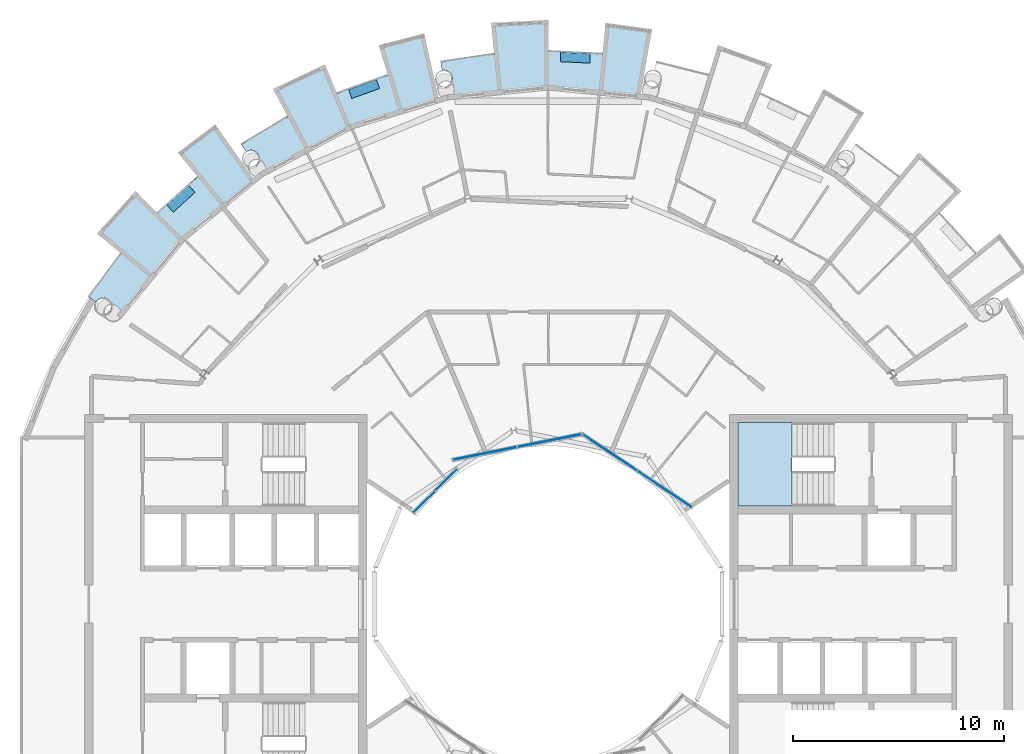
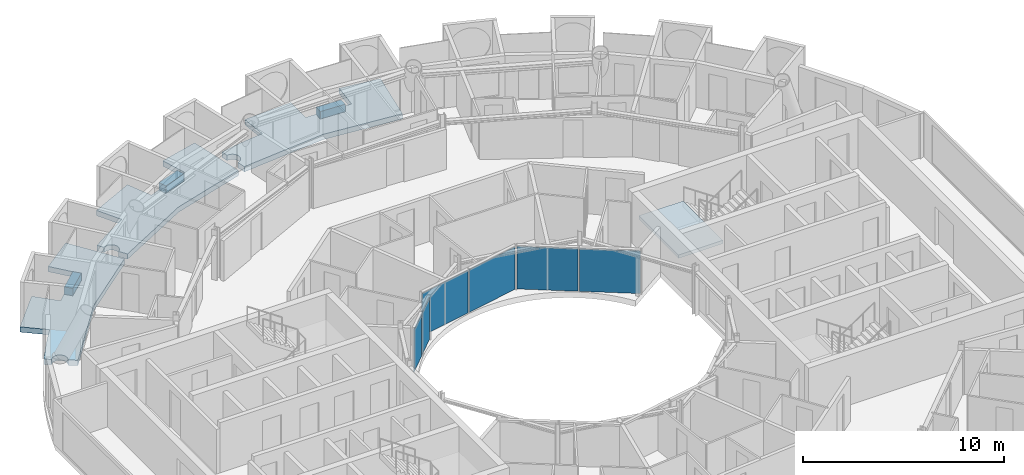
# One storey, part 12 of 27: 7 slabs, 6 plates, 4 elements without a shape of their own.
"""IFC4 building model written with IfcOpenShell, lengths in metres."""

from ifc_helpers import new_model, si_unit, direction, frame, origin, origin_2d, place, context, subcontext, project, spatial, polyline, rectangle, outline, extrude, material, layer, layer_set, type_object, element, aggregate, save


model = new_model("IFC4")

# Units and contexts
model_context = context("Model", 3, precision=1e-05, world=origin(), true_north=direction((0.0, 1.0)))
body_context = subcontext(model_context, "Body", "Model", "MODEL_VIEW")
ifc_project = project(units=[si_unit("LENGTHUNIT", "METRE"), si_unit("AREAUNIT", "SQUARE_METRE"), si_unit("VOLUMEUNIT", "CUBIC_METRE"), si_unit("PLANEANGLEUNIT", "RADIAN"), si_unit("MASSUNIT", "GRAM", prefix="KILO")], contexts=[model_context])

# Site, building, storey
site_placement = place(None, origin())
site = spatial("IfcSite", under=ifc_project, at=site_placement, CompositionType="ELEMENT")
building_placement = place(site_placement, origin())
building = spatial("IfcBuilding", under=site, at=building_placement, Name="Maasbend Ring Residences", CompositionType="ELEMENT")
storey_placement = place(building_placement, frame((0.0, 0.0, 243.199951171875)))
storey = spatial("IfcBuildingStorey", under=building, at=storey_placement, Name="L70", CompositionType="ELEMENT", Elevation=243.199951171875)

# Stair, slab
ifc_material_1 = material(Name="Concrete C40/50", Category="concrete")
stair_type = type_object("IfcStairType", Name="CORE STAIR 18 RISERS", PredefinedType="HALF_TURN_STAIR", material=ifc_material_1)
stair_placement = place(storey_placement, origin())
stair = element("IfcStair", 1, at=stair_placement, inside=storey, type_object=stair_type, Name="L70 Exit stair ST-E1", PredefinedType="HALF_TURN_STAIR")
ifc_material_2 = material(Name="Concrete C40/50", Category="concrete")
ifc_layer_1 = layer(ifc_material_2, 0.199951171875)
ifc_layer_set_1 = layer_set([ifc_layer_1], Name="Concrete C40/50")
slab_type_1 = type_object("IfcSlabType", Name="CORE STAIR LANDING 200", PredefinedType="LANDING", material=ifc_layer_set_1)
slab_1_placement = place(storey_placement, frame((0.0, 0.0, 1.324951171875)))
slab_1 = element("IfcSlab", 2, at=slab_1_placement, type_object=slab_type_1, Name="ST-E1 landing 1", PredefinedType="LANDING", context=body_context, shape_type="SweptSolid", body=[
    extrude(outline(polyline([(11.550048828125, 8.60009765625), (9.0, 8.60009765625), (9.0, 4.64990234375), (11.550048828125, 4.64990234375), (11.550048828125, 8.60009765625)])), origin(), (0.0, 0.0, 1.0), 0.2001953125),
])
aggregate(stair, [slab_1])

# Curtain wall, plates
ifc_material_3 = material(Name="Aluminium and clear glass", Category="aluminium")
ifc_layer_2 = layer(ifc_material_3, 0.179931640625)
ifc_layer_set_2 = layer_set([ifc_layer_2], Name="CW-W")
curtain_wall_type = type_object("IfcCurtainWallType", Name="CW-W", PredefinedType="NOTDEFINED", material=ifc_layer_set_2)
curtain_wall_1_placement = place(storey_placement, origin())
curtain_wall_1 = element("IfcCurtainWall", 3, at=curtain_wall_1_placement, inside=storey, type_object=curtain_wall_type, Name="Well curtain wall N1", PredefinedType="NOTDEFINED")
ifc_material_4 = material(Name="Glass clear laminated", Category="glass")
ifc_layer_3 = layer(ifc_material_4, 0.031982421875)
ifc_layer_set_3 = layer_set([ifc_layer_3], Name="CWP-W")
plate_type = type_object("IfcPlateType", Name="CWP-W", PredefinedType="CURTAIN_PANEL", material=ifc_layer_set_3)
plate_1_placement = place(storey_placement, frame((5.51123046875, 5.44580078125, 0.0), z_axis=(0.0, 0.0, 1.0), x_axis=(-0.831469612303, 0.55557023302, 0.0)))
plate_1 = element("IfcPlate", 4, at=plate_1_placement, type_object=plate_type, Name="Glass panel well face", PredefinedType="CURTAIN_PANEL", context=body_context, shape_type="SweptSolid", body=[
    extrude(rectangle(XDim=3.053955078125, YDim=0.031982421875, at=origin_2d()), origin(), (0.0, 0.0, 1.0), 2.580078125),
])
plate_2_placement = place(storey_placement, frame((2.922119140625, 7.17578125, 0.0), z_axis=(0.0, 0.0, 1.0), x_axis=(-0.831469612303, 0.55557023302, 0.0)))
plate_2 = element("IfcPlate", 5, at=plate_2_placement, type_object=plate_type, Name="Glass panel well face", PredefinedType="CURTAIN_PANEL", context=body_context, shape_type="SweptSolid", body=[
    extrude(rectangle(XDim=3.053955078125, YDim=0.031982421875, at=origin_2d()), origin(), (0.0, 0.0, 1.0), 2.580078125),
])
aggregate(curtain_wall_1, [plate_1, plate_2])

curtain_wall_2_placement = place(storey_placement, origin())
curtain_wall_2 = element("IfcCurtainWall", 6, at=curtain_wall_2_placement, inside=storey, type_object=curtain_wall_type, Name="Well curtain wall N2", PredefinedType="NOTDEFINED")
plate_3_placement = place(storey_placement, frame((0.04638671875, 7.747802734375, 0.0), z_axis=(0.0, 0.0, 1.0), x_axis=(-0.980785280403, -0.195090322016, 0.0)))
plate_3 = element("IfcPlate", 7, at=plate_3_placement, type_object=plate_type, Name="Glass panel well face", PredefinedType="CURTAIN_PANEL", context=body_context, shape_type="SweptSolid", body=[
    extrude(rectangle(XDim=3.053955078125, YDim=0.031982421875, at=origin_2d()), origin(), (0.0, 0.0, 1.0), 2.580078125),
])
plate_4_placement = place(storey_placement, frame((-3.0078125, 7.140380859375, 0.0), z_axis=(0.0, 0.0, 1.0), x_axis=(-0.980785280403, -0.195090322016, 0.0)))
plate_4 = element("IfcPlate", 8, at=plate_4_placement, type_object=plate_type, Name="Glass panel well face", PredefinedType="CURTAIN_PANEL", context=body_context, shape_type="SweptSolid", body=[
    extrude(rectangle(XDim=3.053955078125, YDim=0.031982421875, at=origin_2d()), origin(), (0.0, 0.0, 1.0), 2.580078125),
])
aggregate(curtain_wall_2, [plate_3, plate_4])

curtain_wall_3_placement = place(storey_placement, origin())
curtain_wall_3 = element("IfcCurtainWall", 9, at=curtain_wall_3_placement, inside=storey, type_object=curtain_wall_type, Name="Well curtain wall N3", PredefinedType="NOTDEFINED")
plate_5_placement = place(storey_placement, frame((-4.84375, 5.89013671875, 0.0), z_axis=(0.0, 0.0, 1.0), x_axis=(-0.707106781187, -0.707106781187, 0.0)))
plate_5 = element("IfcPlate", 10, at=plate_5_placement, type_object=plate_type, Name="Glass panel well face", PredefinedType="CURTAIN_PANEL", context=body_context, shape_type="SweptSolid", body=[
    extrude(rectangle(XDim=1.419677734375, YDim=0.031982421875, at=origin_2d()), origin(), (0.0, 0.0, 1.0), 2.580078125),
])
plate_6_placement = place(storey_placement, frame((-5.89013671875, 4.84375, 0.0), z_axis=(0.0, 0.0, 1.0), x_axis=(-0.707106781187, -0.707106781187, 0.0)))
plate_6 = element("IfcPlate", 11, at=plate_6_placement, type_object=plate_type, Name="Glass panel well face", PredefinedType="CURTAIN_PANEL", context=body_context, shape_type="SweptSolid", body=[
    extrude(rectangle(XDim=1.419677734375, YDim=0.031982421875, at=origin_2d()), origin(), (0.0, 0.0, 1.0), 2.580078125),
])
aggregate(curtain_wall_3, [plate_5, plate_6])

# Slabs
ifc_material_5 = material(Name="Planting with climbing greenery")
ifc_layer_4 = layer(ifc_material_5, 0.449951171875)
ifc_layer_set_4 = layer_set([ifc_layer_4], Name="PLANTER-LG")
slab_type_2 = type_object("IfcSlabType", Name="PLANTER-LG", PredefinedType="USERDEFINED", material=ifc_layer_set_4)
slab_2_placement = place(storey_placement, frame((0.0, 0.0, -0.030029296875)))
element("IfcSlab", 12, at=slab_2_placement, inside=storey, type_object=slab_type_2, Name="Planter with climbing greenery 3", ObjectType="PLANTER", PredefinedType="USERDEFINED", context=body_context, shape_type="SweptSolid", body=[
    extrude(outline(polyline([(1.98291015625, 26.10302734375), (0.5849609375, 26.1708984375), (0.56298828125, 25.721923828125), (1.9609375, 25.653076171875), (1.98291015625, 26.10302734375)])), origin(), (0.0, 0.0, 1.0), 0.4501953125),
])
slab_3_placement = place(storey_placement, frame((0.0, 0.0, -0.030029296875)))
element("IfcSlab", 13, at=slab_3_placement, inside=storey, type_object=slab_type_2, Name="Planter with climbing greenery 4", ObjectType="PLANTER", PredefinedType="USERDEFINED", context=body_context, shape_type="SweptSolid", body=[
    extrude(outline(polyline([(-8.156982421875, 24.875), (-9.47509765625, 24.403076171875), (-9.322998046875, 23.97900390625), (-8.0048828125, 24.450927734375), (-8.156982421875, 24.875)])), origin(), (0.0, 0.0, 1.0), 0.4501953125),
])
slab_4_placement = place(storey_placement, frame((0.0, 0.0, -0.030029296875)))
element("IfcSlab", 14, at=slab_4_placement, inside=storey, type_object=slab_type_2, Name="Planter with climbing greenery 5", ObjectType="PLANTER", PredefinedType="USERDEFINED", context=body_context, shape_type="SweptSolid", body=[
    extrude(outline(polyline([(-17.054931640625, 19.860107421875), (-18.092041015625, 18.9189453125), (-17.7900390625, 18.5859375), (-16.7529296875, 19.52587890625), (-17.054931640625, 19.860107421875)])), origin(), (0.0, 0.0, 1.0), 0.4501953125),
])
ifc_material_6 = material(Name="Concrete C40/50", Category="concrete")
ifc_layer_5 = layer(ifc_material_6, 0.199951171875)
ifc_layer_set_5 = layer_set([ifc_layer_5], Name="Concrete C40/50")
slab_type_3 = type_object("IfcSlabType", Name="SL-LOGGIA", PredefinedType="FLOOR", material=ifc_layer_set_5)
slab_5_placement = place(storey_placement, frame((0.0, 0.0, -0.349853515625)))
element("IfcSlab", 15, at=slab_5_placement, inside=storey, type_object=slab_type_3, Name="Loggia floor 1", PredefinedType="FLOOR", context=body_context, shape_type="SweptSolid", body=[
    extrude(outline(polyline([(-13.10009765625, 22.68994140625), (-12.35107421875, 23.10595703125), (-12.35107421875, 23.10595703125), (-12.35107421875, 23.10595703125), (-12.35107421875, 23.10595703125), (-12.35107421875, 23.10595703125), (-12.35107421875, 23.10595703125), (-12.35107421875, 23.10595703125), (-12.35107421875, 23.10595703125), (-12.35107421875, 23.10595703125), (-12.35107421875, 23.10595703125), (-12.35107421875, 23.10595703125), (-12.35107421875, 23.10693359375), (-12.35107421875, 23.10693359375), (-12.35107421875, 23.10693359375), (-12.35107421875, 23.10693359375), (-12.35107421875, 23.10693359375), (-12.35107421875, 23.10693359375), (-13.05810546875, 24.428955078125), (-13.05810546875, 24.428955078125), (-13.05810546875, 24.428955078125), (-10.60009765625, 25.591064453125), (-10.60009765625, 25.591064453125), (-10.60009765625, 25.591064453125), (-10.02587890625, 24.2060546875), (-10.02587890625, 24.2060546875), (-10.02587890625, 24.2060546875), (-10.02587890625, 24.2060546875), (-10.02587890625, 24.2060546875), (-10.02587890625, 24.2060546875), (-10.02587890625, 24.2060546875), (-10.02587890625, 24.2060546875), (-10.02587890625, 24.2060546875), (-10.02587890625, 24.2060546875), (-10.02587890625, 24.2060546875), (-10.02587890625, 24.2060546875), (-10.02587890625, 24.2060546875), (-10.02587890625, 24.2060546875), (-10.02587890625, 24.2060546875), (-10.02587890625, 24.2060546875), (-10.02587890625, 24.2060546875), (-9.22900390625, 24.52099609375), (-9.22900390625, 24.52099609375), (-8.422119140625, 24.81005859375), (-8.422119140625, 24.81005859375), (-7.60595703125, 25.072021484375), (-7.60595703125, 25.072021484375), (-7.60595703125, 25.072021484375), (-7.60595703125, 25.072021484375), (-7.60595703125, 25.072021484375), (-7.60595703125, 25.072021484375), (-7.60595703125, 25.072021484375), (-7.60595703125, 25.072021484375), (-7.60595703125, 25.072021484375), (-7.60595703125, 25.072021484375), (-7.60595703125, 25.072021484375), (-7.60595703125, 25.072021484375), (-7.60595703125, 25.072021484375), (-7.60595703125, 25.072021484375), (-7.60595703125, 25.072021484375), (-7.60595703125, 25.072021484375), (-7.60595703125, 25.072021484375), (-8.041015625, 26.507080078125), (-8.041015625, 26.507080078125), (-8.041015625, 26.507080078125), (-5.89111328125, 27.06591796875), (-5.89111328125, 27.06591796875), (-5.89111328125, 27.06591796875), (-5.201904296875, 23.90087890625), (-5.201904296875, 23.90087890625), (-5.201904296875, 23.90087890625), (-7.077880859375, 23.33203125), (-9.3759765625, 22.635009765625), (-9.3759765625, 22.635009765625), (-9.3759765625, 22.635009765625), (-11.493896484375, 21.5029296875), (-13.611083984375, 20.37109375), (-13.611083984375, 20.37109375), (-13.611083984375, 20.37109375), (-13.885986328125, 20.781005859375), (-13.876953125, 20.787109375), (-13.868896484375, 20.79296875), (-13.861083984375, 20.799072265625), (-13.85400390625, 20.804931640625), (-13.845947265625, 20.81103515625), (-13.839111328125, 20.818115234375), (-13.8310546875, 20.824951171875), (-13.823974609375, 20.83203125), (-13.81689453125, 20.839111328125), (-13.81005859375, 20.845947265625), (-13.803955078125, 20.85400390625), (-13.797119140625, 20.861083984375), (-13.791015625, 20.868896484375), (-13.784912109375, 20.876953125), (-13.779052734375, 20.885009765625), (-13.77392578125, 20.89306640625), (-13.76806640625, 20.902099609375), (-13.762939453125, 20.909912109375), (-13.758056640625, 20.9189453125), (-13.7529296875, 20.927978515625), (-13.748046875, 20.93701171875), (-13.743896484375, 20.945068359375), (-13.739990234375, 20.955078125), (-13.736083984375, 20.964111328125), (-13.73193359375, 20.972900390625), (-13.72900390625, 20.98193359375), (-13.72607421875, 20.991943359375), (-13.722900390625, 21.0009765625), (-13.719970703125, 21.010986328125), (-13.717041015625, 21.02099609375), (-13.715087890625, 21.030029296875), (-13.712890625, 21.0400390625), (-13.7109375, 21.050048828125), (-13.708984375, 21.06005859375), (-13.7080078125, 21.070068359375), (-13.70703125, 21.0791015625), (-13.7060546875, 21.089111328125), (-13.705078125, 21.09912109375), (-13.705078125, 21.10888671875), (-13.705078125, 21.118896484375), (-13.705078125, 21.12890625), (-13.705078125, 21.138916015625), (-13.7060546875, 21.14892578125), (-13.70703125, 21.158935546875), (-13.7080078125, 21.1689453125), (-13.708984375, 21.178955078125), (-13.7109375, 21.18896484375), (-13.712890625, 21.198974609375), (-13.715087890625, 21.2080078125), (-13.717041015625, 21.218017578125), (-13.719970703125, 21.22802734375), (-13.722900390625, 21.237060546875), (-13.72607421875, 21.2470703125), (-13.72900390625, 21.256103515625), (-13.73193359375, 21.26611328125), (-13.736083984375, 21.27490234375), (-13.739990234375, 21.283935546875), (-13.743896484375, 21.29296875), (-13.748046875, 21.302001953125), (-13.7529296875, 21.31103515625), (-13.758056640625, 21.320068359375), (-13.762939453125, 21.327880859375), (-13.76806640625, 21.3369140625), (-13.77392578125, 21.344970703125), (-13.779052734375, 21.35302734375), (-13.784912109375, 21.361083984375), (-13.791015625, 21.368896484375), (-13.797119140625, 21.376953125), (-13.803955078125, 21.385009765625), (-13.81005859375, 21.39208984375), (-13.81689453125, 21.39990234375), (-13.823974609375, 21.406982421875), (-13.8310546875, 21.4140625), (-13.839111328125, 21.419921875), (-13.845947265625, 21.427001953125), (-13.85400390625, 21.43408203125), (-13.861083984375, 21.43994140625), (-13.868896484375, 21.446044921875), (-13.876953125, 21.451904296875), (-13.885986328125, 21.45703125), (-13.89404296875, 21.462890625), (-13.903076171875, 21.468017578125), (-13.910888671875, 21.472900390625), (-13.919921875, 21.47802734375), (-13.928955078125, 21.48193359375), (-13.93798828125, 21.487060546875), (-13.947021484375, 21.490966796875), (-13.9560546875, 21.4951171875), (-13.965087890625, 21.4990234375), (-13.97509765625, 21.501953125), (-13.98388671875, 21.5048828125), (-13.992919921875, 21.508056640625), (-14.0029296875, 21.510986328125), (-14.012939453125, 21.513916015625), (-14.02197265625, 21.51611328125), (-14.031982421875, 21.51806640625), (-14.0419921875, 21.52001953125), (-14.052001953125, 21.52099609375), (-14.06201171875, 21.52294921875), (-14.072021484375, 21.52392578125), (-14.08203125, 21.52490234375), (-14.092041015625, 21.52490234375), (-14.10205078125, 21.52587890625), (-14.111083984375, 21.52587890625), (-14.12109375, 21.52587890625), (-14.131103515625, 21.52490234375), (-14.14111328125, 21.52490234375), (-14.15087890625, 21.52392578125), (-14.160888671875, 21.52294921875), (-14.1708984375, 21.52099609375), (-14.180908203125, 21.52001953125), (-14.19091796875, 21.51806640625), (-14.200927734375, 21.51611328125), (-14.2099609375, 21.513916015625), (-14.219970703125, 21.510986328125), (-14.22998046875, 21.508056640625), (-14.239013671875, 21.5048828125), (-14.248046875, 21.501953125), (-14.258056640625, 21.4990234375), (-14.26708984375, 21.4951171875), (-14.27587890625, 21.490966796875), (-14.284912109375, 21.487060546875), (-14.2939453125, 21.48193359375), (-14.302978515625, 21.47802734375), (-14.31201171875, 21.472900390625), (-14.320068359375, 21.468017578125), (-14.3291015625, 21.462890625), (-14.3369140625, 21.45703125), (-14.555908203125, 21.783935546875), (-14.555908203125, 21.784912109375), (-14.555908203125, 21.784912109375), (-13.8349609375, 22.2490234375), (-13.8349609375, 22.2490234375), (-13.10009765625, 22.68994140625), (-13.10009765625, 22.68994140625)])), origin(), (0.0, 0.0, 1.0), 0.31982421875),
])
slab_6_placement = place(storey_placement, frame((0.0, 0.0, -0.349853515625)))
element("IfcSlab", 16, at=slab_6_placement, inside=storey, type_object=slab_type_3, Name="Loggia floor 2", PredefinedType="FLOOR", context=body_context, shape_type="SweptSolid", body=[
    extrude(outline(polyline([(-3.419921875, 25.97607421875), (-2.569091796875, 26.073974609375), (-2.568115234375, 26.073974609375), (-2.568115234375, 26.073974609375), (-2.568115234375, 26.073974609375), (-2.568115234375, 26.073974609375), (-2.568115234375, 26.073974609375), (-2.568115234375, 26.073974609375), (-2.568115234375, 26.073974609375), (-2.568115234375, 26.073974609375), (-2.568115234375, 26.073974609375), (-2.568115234375, 26.073974609375), (-2.568115234375, 26.073974609375), (-2.568115234375, 26.073974609375), (-2.568115234375, 26.073974609375), (-2.568115234375, 26.073974609375), (-2.568115234375, 26.073974609375), (-2.568115234375, 26.073974609375), (-2.715087890625, 27.56689453125), (-2.715087890625, 27.56689453125), (-2.715087890625, 27.56689453125), (0.0, 27.699951171875), (0.0, 27.699951171875), (0.0, 27.699951171875), (0.0, 26.199951171875), (0.0, 26.199951171875), (0.0, 26.199951171875), (0.0, 26.199951171875), (0.0, 26.199951171875), (0.0, 26.199951171875), (0.0, 26.199951171875), (0.0, 26.199951171875), (0.0, 26.199951171875), (0.0, 26.199951171875), (0.0, 26.199951171875), (0.0, 26.199951171875), (0.0, 26.199951171875), (0.0, 26.199951171875), (0.0, 26.199951171875), (0.0, 26.199951171875), (0.0, 26.199951171875), (0.85693359375, 26.18603515625), (0.85693359375, 26.18603515625), (1.714111328125, 26.14404296875), (1.714111328125, 26.14404296875), (2.568115234375, 26.073974609375), (2.568115234375, 26.073974609375), (2.568115234375, 26.073974609375), (2.568115234375, 26.073974609375), (2.568115234375, 26.073974609375), (2.568115234375, 26.073974609375), (2.568115234375, 26.073974609375), (2.568115234375, 26.073974609375), (2.568115234375, 26.073974609375), (2.568115234375, 26.073974609375), (2.568115234375, 26.073974609375), (2.568115234375, 26.073974609375), (2.568115234375, 26.073974609375), (2.568115234375, 26.073974609375), (2.568115234375, 26.073974609375), (2.568115234375, 26.073974609375), (2.568115234375, 26.073974609375), (2.715087890625, 27.56689453125), (2.715087890625, 27.56689453125), (2.715087890625, 27.56689453125), (4.9150390625, 27.260009765625), (4.9150390625, 27.260009765625), (4.9150390625, 27.260009765625), (4.340087890625, 24.072998046875), (4.340087890625, 24.072998046875), (4.340087890625, 24.072998046875), (2.389892578125, 24.264892578125), (0.0, 24.5), (0.0, 24.5), (0.0, 24.5), (-2.389892578125, 24.264892578125), (-4.780029296875, 24.029052734375), (-4.780029296875, 24.029052734375), (-4.780029296875, 24.029052734375), (-4.8759765625, 24.512939453125), (-4.865966796875, 24.514892578125), (-4.85693359375, 24.51806640625), (-4.846923828125, 24.52001953125), (-4.8369140625, 24.52294921875), (-4.827880859375, 24.52587890625), (-4.818115234375, 24.529052734375), (-4.80908203125, 24.532958984375), (-4.800048828125, 24.535888671875), (-4.791015625, 24.5400390625), (-4.781005859375, 24.5439453125), (-4.77294921875, 24.549072265625), (-4.763916015625, 24.552978515625), (-4.7548828125, 24.55810546875), (-4.74609375, 24.56298828125), (-4.738037109375, 24.568115234375), (-4.72900390625, 24.573974609375), (-4.720947265625, 24.580078125), (-4.712890625, 24.5849609375), (-4.705078125, 24.591064453125), (-4.697021484375, 24.597900390625), (-4.68994140625, 24.60400390625), (-4.681884765625, 24.611083984375), (-4.675048828125, 24.616943359375), (-4.66796875, 24.6240234375), (-4.660888671875, 24.632080078125), (-4.654052734375, 24.638916015625), (-4.64697265625, 24.64599609375), (-4.64111328125, 24.654052734375), (-4.635009765625, 24.662109375), (-4.62890625, 24.669921875), (-4.623046875, 24.677978515625), (-4.616943359375, 24.68603515625), (-4.612060546875, 24.694091796875), (-4.60693359375, 24.702880859375), (-4.60205078125, 24.7119140625), (-4.596923828125, 24.719970703125), (-4.592041015625, 24.72900390625), (-4.587890625, 24.738037109375), (-4.583984375, 24.7470703125), (-4.580078125, 24.756103515625), (-4.575927734375, 24.76611328125), (-4.572998046875, 24.77490234375), (-4.569091796875, 24.783935546875), (-4.56591796875, 24.7939453125), (-4.56396484375, 24.802978515625), (-4.56103515625, 24.81298828125), (-4.55908203125, 24.822998046875), (-4.556884765625, 24.8330078125), (-4.554931640625, 24.842041015625), (-4.552978515625, 24.85205078125), (-4.552001953125, 24.862060546875), (-4.551025390625, 24.8720703125), (-4.550048828125, 24.882080078125), (-4.549072265625, 24.89208984375), (-4.549072265625, 24.902099609375), (-4.549072265625, 24.912109375), (-4.549072265625, 24.922119140625), (-4.549072265625, 24.931884765625), (-4.550048828125, 24.94189453125), (-4.551025390625, 24.951904296875), (-4.552001953125, 24.9619140625), (-4.552978515625, 24.971923828125), (-4.554931640625, 24.98095703125), (-4.556884765625, 24.990966796875), (-4.55908203125, 25.0009765625), (-4.56103515625, 25.010986328125), (-4.56396484375, 25.02001953125), (-4.56591796875, 25.030029296875), (-4.569091796875, 25.0390625), (-4.572998046875, 25.049072265625), (-4.575927734375, 25.05810546875), (-4.580078125, 25.06689453125), (-4.583984375, 25.076904296875), (-4.587890625, 25.0859375), (-4.592041015625, 25.094970703125), (-4.596923828125, 25.10400390625), (-4.60205078125, 25.112060546875), (-4.60693359375, 25.12109375), (-4.612060546875, 25.12890625), (-4.616943359375, 25.137939453125), (-4.623046875, 25.14599609375), (-4.62890625, 25.154052734375), (-4.635009765625, 25.162109375), (-4.64111328125, 25.169921875), (-4.64697265625, 25.177001953125), (-4.654052734375, 25.18505859375), (-4.660888671875, 25.19189453125), (-4.66796875, 25.198974609375), (-4.675048828125, 25.2060546875), (-4.681884765625, 25.212890625), (-4.68994140625, 25.219970703125), (-4.697021484375, 25.22607421875), (-4.705078125, 25.23193359375), (-4.712890625, 25.238037109375), (-4.720947265625, 25.243896484375), (-4.72900390625, 25.25), (-4.738037109375, 25.2548828125), (-4.74609375, 25.260986328125), (-4.7548828125, 25.26611328125), (-4.763916015625, 25.27001953125), (-4.77294921875, 25.27490234375), (-4.781005859375, 25.279052734375), (-4.791015625, 25.283935546875), (-4.800048828125, 25.287109375), (-4.80908203125, 25.291015625), (-4.818115234375, 25.294921875), (-4.827880859375, 25.298095703125), (-4.8369140625, 25.301025390625), (-4.846923828125, 25.303955078125), (-4.85693359375, 25.305908203125), (-4.865966796875, 25.30908203125), (-4.8759765625, 25.31103515625), (-4.885986328125, 25.31201171875), (-4.89599609375, 25.31396484375), (-4.906005859375, 25.31494140625), (-4.9150390625, 25.31591796875), (-4.925048828125, 25.31689453125), (-4.93505859375, 25.318115234375), (-4.945068359375, 25.318115234375), (-4.955078125, 25.318115234375), (-4.965087890625, 25.318115234375), (-4.97509765625, 25.318115234375), (-4.985107421875, 25.31689453125), (-4.9951171875, 25.31591796875), (-5.0048828125, 25.31494140625), (-5.014892578125, 25.31396484375), (-5.02490234375, 25.31201171875), (-5.034912109375, 25.31103515625), (-5.111083984375, 25.697021484375), (-5.111083984375, 25.697021484375), (-5.111083984375, 25.697021484375), (-4.26806640625, 25.85009765625), (-4.26806640625, 25.85009765625), (-3.419921875, 25.97607421875), (-3.419921875, 25.97607421875)])), origin(), (0.0, 0.0, 1.0), 0.31982421875),
])
slab_7_placement = place(storey_placement, frame((0.0, 0.0, -0.349853515625)))
element("IfcSlab", 17, at=slab_7_placement, inside=storey, type_object=slab_type_3, Name="Loggia floor 5", PredefinedType="FLOOR", context=body_context, shape_type="SweptSolid", body=[
    extrude(outline(polyline([(-20.785888671875, 15.949951171875), (-20.2529296875, 16.62109375), (-20.2529296875, 16.62109375), (-20.2529296875, 16.62109375), (-20.2529296875, 16.62109375), (-20.2529296875, 16.62109375), (-20.2529296875, 16.62109375), (-20.2529296875, 16.62109375), (-20.2529296875, 16.62109375), (-20.2529296875, 16.62109375), (-20.2529296875, 16.62109375), (-20.2529296875, 16.62109375), (-20.2529296875, 16.62109375), (-20.2529296875, 16.62109375), (-20.2529296875, 16.62109375), (-20.2529296875, 16.62109375), (-20.2529296875, 16.62109375), (-20.2529296875, 16.62109375), (-21.412109375, 17.572998046875), (-19.5869140625, 19.5869140625), (-18.527099609375, 18.527099609375), (-18.527099609375, 18.527099609375), (-18.52587890625, 18.52587890625), (-18.52587890625, 18.52587890625), (-18.52587890625, 18.52587890625), (-18.52587890625, 18.52587890625), (-18.52587890625, 18.52587890625), (-18.52587890625, 18.52587890625), (-18.52587890625, 18.52587890625), (-18.52587890625, 18.52587890625), (-18.52587890625, 18.52587890625), (-18.52587890625, 18.52587890625), (-18.52587890625, 18.52587890625), (-18.52587890625, 18.52587890625), (-18.52587890625, 18.52587890625), (-18.52587890625, 18.527099609375), (-18.52587890625, 18.527099609375), (-17.909912109375, 19.1220703125), (-17.27490234375, 19.697998046875), (-16.62109375, 20.2529296875), (-16.62109375, 20.2529296875), (-16.62109375, 20.2529296875), (-16.62109375, 20.2529296875), (-16.62109375, 20.2529296875), (-16.62109375, 20.2529296875), (-16.62109375, 20.2529296875), (-16.62109375, 20.2529296875), (-16.62109375, 20.2529296875), (-16.62109375, 20.2529296875), (-16.62109375, 20.2529296875), (-16.62109375, 20.2529296875), (-16.62109375, 20.2529296875), (-16.62109375, 20.2529296875), (-16.62109375, 20.2529296875), (-16.62109375, 20.2529296875), (-16.62109375, 20.2529296875), (-17.572998046875, 21.412109375), (-15.800048828125, 22.751953125), (-13.952880859375, 20.091064453125), (-15.468017578125, 18.847900390625), (-17.323974609375, 17.323974609375), (-17.323974609375, 17.323974609375), (-17.323974609375, 17.323974609375), (-18.847900390625, 15.468017578125), (-20.37109375, 13.611083984375), (-20.781005859375, 13.885986328125), (-20.77587890625, 13.89404296875), (-20.77099609375, 13.903076171875), (-20.76611328125, 13.910888671875), (-20.760986328125, 13.919921875), (-20.756103515625, 13.928955078125), (-20.751953125, 13.93798828125), (-20.748046875, 13.947021484375), (-20.743896484375, 13.9560546875), (-20.739990234375, 13.965087890625), (-20.737060546875, 13.97509765625), (-20.73291015625, 13.98388671875), (-20.72998046875, 13.992919921875), (-20.72802734375, 14.0029296875), (-20.72509765625, 14.012939453125), (-20.722900390625, 14.02197265625), (-20.720947265625, 14.031982421875), (-20.718994140625, 14.0419921875), (-20.717041015625, 14.052001953125), (-20.716064453125, 14.06201171875), (-20.715087890625, 14.072021484375), (-20.714111328125, 14.08203125), (-20.712890625, 14.092041015625), (-20.712890625, 14.10205078125), (-20.712890625, 14.111083984375), (-20.712890625, 14.12109375), (-20.712890625, 14.131103515625), (-20.714111328125, 14.14111328125), (-20.715087890625, 14.15087890625), (-20.716064453125, 14.160888671875), (-20.717041015625, 14.1708984375), (-20.718994140625, 14.180908203125), (-20.720947265625, 14.19091796875), (-20.722900390625, 14.200927734375), (-20.72509765625, 14.2099609375), (-20.72802734375, 14.219970703125), (-20.72998046875, 14.22998046875), (-20.73291015625, 14.239013671875), (-20.737060546875, 14.248046875), (-20.739990234375, 14.258056640625), (-20.743896484375, 14.26708984375), (-20.748046875, 14.27587890625), (-20.751953125, 14.284912109375), (-20.756103515625, 14.2939453125), (-20.760986328125, 14.302978515625), (-20.76611328125, 14.31201171875), (-20.77099609375, 14.320068359375), (-20.77587890625, 14.3291015625), (-20.781005859375, 14.3369140625), (-20.787109375, 14.345947265625), (-20.79296875, 14.35400390625), (-20.799072265625, 14.362060546875), (-20.804931640625, 14.368896484375), (-20.81103515625, 14.376953125), (-20.818115234375, 14.384033203125), (-20.824951171875, 14.39208984375), (-20.83203125, 14.39892578125), (-20.839111328125, 14.406005859375), (-20.845947265625, 14.4130859375), (-20.85400390625, 14.4189453125), (-20.861083984375, 14.426025390625), (-20.868896484375, 14.431884765625), (-20.876953125, 14.43798828125), (-20.885009765625, 14.444091796875), (-20.89306640625, 14.448974609375), (-20.902099609375, 14.455078125), (-20.909912109375, 14.4599609375), (-20.9189453125, 14.465087890625), (-20.927978515625, 14.469970703125), (-20.93701171875, 14.47509765625), (-20.945068359375, 14.47900390625), (-20.955078125, 14.48291015625), (-20.964111328125, 14.487060546875), (-20.972900390625, 14.490966796875), (-20.98193359375, 14.493896484375), (-20.991943359375, 14.4970703125), (-21.0009765625, 14.5), (-21.010986328125, 14.5029296875), (-21.02099609375, 14.506103515625), (-21.030029296875, 14.508056640625), (-21.0400390625, 14.510009765625), (-21.050048828125, 14.511962890625), (-21.06005859375, 14.513916015625), (-21.070068359375, 14.514892578125), (-21.0791015625, 14.51611328125), (-21.089111328125, 14.51708984375), (-21.09912109375, 14.51806640625), (-21.10888671875, 14.51806640625), (-21.118896484375, 14.51806640625), (-21.12890625, 14.51806640625), (-21.138916015625, 14.51806640625), (-21.14892578125, 14.51708984375), (-21.158935546875, 14.51611328125), (-21.1689453125, 14.514892578125), (-21.178955078125, 14.513916015625), (-21.18896484375, 14.511962890625), (-21.198974609375, 14.510009765625), (-21.2080078125, 14.508056640625), (-21.218017578125, 14.506103515625), (-21.22802734375, 14.5029296875), (-21.237060546875, 14.5), (-21.2470703125, 14.4970703125), (-21.256103515625, 14.493896484375), (-21.26611328125, 14.490966796875), (-21.27490234375, 14.487060546875), (-21.283935546875, 14.48291015625), (-21.29296875, 14.47900390625), (-21.302001953125, 14.47509765625), (-21.31103515625, 14.469970703125), (-21.320068359375, 14.465087890625), (-21.327880859375, 14.4599609375), (-21.3369140625, 14.455078125), (-21.344970703125, 14.448974609375), (-21.35302734375, 14.444091796875), (-21.361083984375, 14.43798828125), (-21.368896484375, 14.431884765625), (-21.376953125, 14.426025390625), (-21.385009765625, 14.4189453125), (-21.39208984375, 14.4130859375), (-21.39990234375, 14.406005859375), (-21.406982421875, 14.39892578125), (-21.4140625, 14.39208984375), (-21.419921875, 14.384033203125), (-21.427001953125, 14.376953125), (-21.43408203125, 14.368896484375), (-21.43994140625, 14.362060546875), (-21.446044921875, 14.35400390625), (-21.451904296875, 14.345947265625), (-21.45703125, 14.3369140625), (-21.783935546875, 14.555908203125), (-21.297119140625, 15.260986328125), (-20.785888671875, 15.949951171875)])), origin(), (0.0, 0.0, 1.0), 0.31982421875),
])

save(model, "model.ifc")
